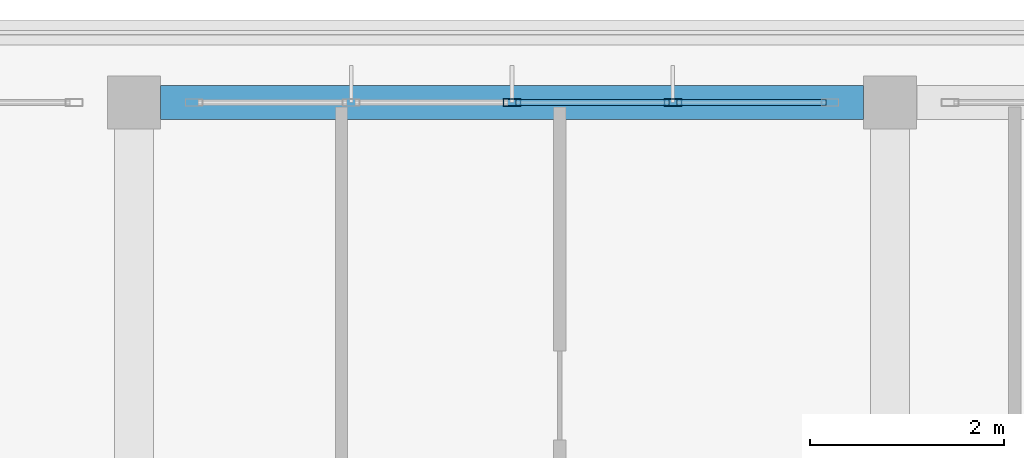
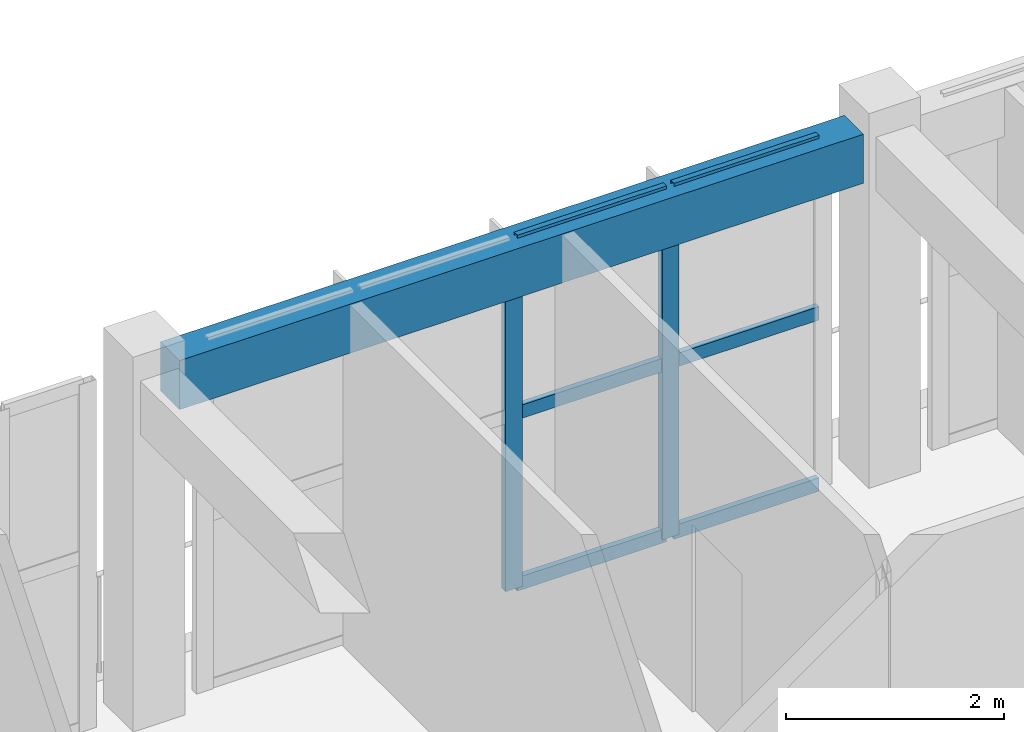
# One storey, part 9 of 44: 8 members, 1 beam, 1 element without a shape of its own.
"""IFC4 building model written with IfcOpenShell, lengths in metres."""

import ifcopenshell
import ifcopenshell.guid

model = None  # the IFC model being written
_history = None  # IfcOwnerHistory: only IFC2X3 demands one
_inside = {}  # id of a spatial element -> (the spatial element, [elements in it])
_under = {}  # id of a project, library or spatial element -> (it, [spatial elements below it])
_declared = {}  # id of a project -> (the project, [libraries it declares])
_typed = {}  # id of a type object -> (the type object, [elements of that type])
_made_of = {}  # id of a material, layer set ... -> (it, [elements and type objects made of it])


def new_model(schema):
    """Start an empty IFC model of exactly this schema.

    Asked for "IFC4X3", IfcOpenShell would pick the latest addendum, in which some entities
    have other attributes; the version numbers below select the first issue.
    IFC2X3 requires an IfcOwnerHistory on every rooted entity: one is made here for all.
    """
    global model, _history
    if schema == "IFC4X3":
        model = ifcopenshell.file(schema_version=(4, 3, 0, 0))
    else:
        model = ifcopenshell.file(schema=schema)
    _inside.clear()
    _under.clear()
    _declared.clear()
    _typed.clear()
    _made_of.clear()
    _history = None
    if model.schema == "IFC2X3":
        org = make("IfcOrganization", Name="unknown")
        user = make(
            "IfcPersonAndOrganization",
            ThePerson=make("IfcPerson", FamilyName="unknown"),
            TheOrganization=org,
        )
        app = make(
            "IfcApplication",
            ApplicationDeveloper=org,
            Version="unknown",
            ApplicationFullName="unknown",
            ApplicationIdentifier="unknown",
        )
        _history = make(
            "IfcOwnerHistory",
            OwningUser=user,
            OwningApplication=app,
            ChangeAction="ADDED",
            CreationDate=0,
        )
    return model


def make(cls, **values):
    """One entity of the class cls with the attributes given. An attribute that is None is left unset."""
    return model.create_entity(
        cls, **{name: value for name, value in values.items() if value is not None}
    )


def rooted(cls, **values):
    """An entity with a GlobalId (a new one), such as an element, a storey or a relation."""
    return make(cls, GlobalId=ifcopenshell.guid.new(), OwnerHistory=_history, **values)


def si_unit(unit_type, name, prefix=None):
    """IfcSIUnit, for example si_unit("LENGTHUNIT", "METRE", prefix="MILLI")."""
    return make("IfcSIUnit", UnitType=unit_type, Prefix=prefix, Name=name)


def assignment(units):
    """IfcUnitAssignment: the units of a project."""
    return None if units is None else make("IfcUnitAssignment", Units=units)


def point(xyz):
    """IfcCartesianPoint."""
    return None if xyz is None else make("IfcCartesianPoint", Coordinates=xyz)


def direction(xyz):
    """IfcDirection."""
    return None if xyz is None else make("IfcDirection", DirectionRatios=xyz)


def frame(location, z_axis=None, x_axis=None):
    """IfcAxis2Placement3D, a coordinate frame: its origin and axes. An axis left out is left unset."""
    return make(
        "IfcAxis2Placement3D",
        Location=point(location),
        Axis=direction(z_axis),
        RefDirection=direction(x_axis),
    )


def frame_2d(location, x_axis=None):
    """IfcAxis2Placement2D, a coordinate frame in the plane: its origin and x axis."""
    return make(
        "IfcAxis2Placement2D", Location=point(location), RefDirection=direction(x_axis)
    )


def origin():
    """The frame at (0, 0, 0) with its axes left unset."""
    return frame((0.0, 0.0, 0.0))


def origin_2d():
    """The frame at (0, 0) in the plane with its x axis left unset."""
    return frame_2d((0.0, 0.0))


def place(relative_to, where):
    """IfcLocalPlacement: puts the frame where relative to a parent placement (None: the world)."""
    return make(
        "IfcLocalPlacement", PlacementRelTo=relative_to, RelativePlacement=where
    )


def context(
    kind, dimensions, precision=None, world=None, true_north=None, identifier=None
):
    """IfcGeometricRepresentationContext, for example the 3D "Model" context."""
    return make(
        "IfcGeometricRepresentationContext",
        ContextIdentifier=identifier,
        ContextType=kind,
        CoordinateSpaceDimension=dimensions,
        Precision=precision,
        WorldCoordinateSystem=world,
        TrueNorth=true_north,
    )


def subcontext(parent, identifier, kind, view, scale=None):
    """IfcGeometricRepresentationSubContext, for example "Body" below "Model"."""
    return make(
        "IfcGeometricRepresentationSubContext",
        ContextIdentifier=identifier,
        ContextType=kind,
        ParentContext=parent,
        TargetScale=scale,
        TargetView=view,
    )


def project(units=None, contexts=None):
    """IfcProject with its units and contexts."""
    return rooted(
        "IfcProject",
        Name="project",
        RepresentationContexts=contexts,
        UnitsInContext=assignment(units),
    )


def spatial(cls, under=None, at=None, **own):
    """A site, building, storey or space (cls), placed at a placement, below another one or the project."""
    s = rooted(cls, ObjectPlacement=at, **own)
    if under is not None:
        _under.setdefault(under.id(), (under, []))[1].append(s)
    return s


def profile(cls, at=None, kind="AREA", **sizes):
    """A parametric profile (cls). Its sizes go by their IFC names, for example OverallWidth=200.0."""
    return make(cls, ProfileType=kind, Position=at, **sizes)


def rectangle(**sizes):
    """IfcRectangleProfileDef."""
    return profile("IfcRectangleProfileDef", **sizes)


def hollow_rectangle(**sizes):
    """IfcRectangleHollowProfileDef."""
    return profile("IfcRectangleHollowProfileDef", **sizes)


def extrude(swept, where, along, depth):
    """IfcExtrudedAreaSolid: the profile swept, set in the frame where, extruded along a direction by depth."""
    return make(
        "IfcExtrudedAreaSolid",
        SweptArea=swept,
        Position=where,
        ExtrudedDirection=direction(along),
        Depth=depth,
    )


def shape(context_of_items, identifier, shape_type, items):
    """IfcShapeRepresentation: the items that make up one representation, for example the "Body"."""
    return make(
        "IfcShapeRepresentation",
        ContextOfItems=context_of_items,
        RepresentationIdentifier=identifier,
        RepresentationType=shape_type,
        Items=items,
    )


def material(Name=None, Category=None):
    """IfcMaterial."""
    return make("IfcMaterial", Name=Name, Category=Category)


def layer(
    of_material, thickness, ventilated=None, Name=None, Category=None, Priority=None
):
    """IfcMaterialLayer: one layer of a wall or slab, of a material (None: an air gap)."""
    return make(
        "IfcMaterialLayer",
        Material=of_material,
        LayerThickness=thickness,
        IsVentilated=ventilated,
        Name=Name,
        Category=Category,
        Priority=Priority,
    )


def layer_set(layers, Name=None):
    """IfcMaterialLayerSet."""
    return make("IfcMaterialLayerSet", MaterialLayers=layers, LayerSetName=Name)


def material_profile(
    of_material, cross_section, Name=None, Category=None, Priority=None
):
    """IfcMaterialProfile: a cross section and its material."""
    return make(
        "IfcMaterialProfile",
        Name=Name,
        Material=of_material,
        Profile=cross_section,
        Priority=Priority,
        Category=Category,
    )


def profile_set(profiles, Name=None, composite=None):
    """IfcMaterialProfileSet."""
    return make(
        "IfcMaterialProfileSet",
        Name=Name,
        MaterialProfiles=profiles,
        CompositeProfile=composite,
    )


def made_of(thing, what):
    """Note that an element or type object is made of a material, layer set ...; save() writes the relation."""
    if what is not None:
        _made_of.setdefault(what.id(), (what, []))[1].append(thing)
    return thing


def type_object(cls, material=None, **own):
    """A type object (cls), such as IfcWallType, which elements share."""
    return made_of(rooted(cls, **own), material)


def element(
    cls,
    number,
    at=None,
    inside=None,
    cuts=None,
    type_object=None,
    material=None,
    context=None,
    identifier="Body",
    shape_type=None,
    held_by="IfcProductDefinitionShape",
    body=None,
    shapes=None,
    **own,
):
    """One element of the class cls, such as IfcWall. Its Tag is "e" and its number.

    at: its placement. inside: the storey or other place that contains it. cuts: it is an
    opening in that element (IfcRelVoidsElement). A single representation is given by context,
    identifier, shape_type and body (its items); several are given by shapes. held_by: the class
    of the entity that holds the representations. save() writes the other relations.
    """
    e = rooted(cls, Tag="e%d" % number, ObjectPlacement=at, **own)
    if body is not None:
        shapes = [shape(context, identifier, shape_type, body)]
    if shapes is not None:
        e.Representation = make(held_by, Representations=shapes)
    if inside is not None:
        _inside.setdefault(inside.id(), (inside, []))[1].append(e)
    if cuts is not None:
        rooted(
            "IfcRelVoidsElement", RelatingBuildingElement=cuts, RelatedOpeningElement=e
        )
    if type_object is not None:
        _typed.setdefault(type_object.id(), (type_object, []))[1].append(e)
    return made_of(e, material)


def aggregate(whole, parts):
    """IfcRelAggregates: a whole, such as a stair, and the parts it consists of."""
    return rooted("IfcRelAggregates", RelatingObject=whole, RelatedObjects=parts)


def save(model, path):
    """Write the relations noted so far, then the file.

    IfcRelAggregates (storeys below a building ...), IfcRelContainedInSpatialStructure (elements
    in a storey), IfcRelDefinesByType, IfcRelAssociatesMaterial and IfcRelDeclares: one each for
    every whole, place, type object, material and project.
    """
    for whole, parts in _under.values():
        aggregate(whole, parts)
    for where, things in _inside.values():
        rooted(
            "IfcRelContainedInSpatialStructure",
            RelatedElements=things,
            RelatingStructure=where,
        )
    for kind, things in _typed.values():
        rooted("IfcRelDefinesByType", RelatedObjects=things, RelatingType=kind)
    for what, things in _made_of.values():
        rooted("IfcRelAssociatesMaterial", RelatedObjects=things, RelatingMaterial=what)
    for by, libraries in _declared.values():
        rooted("IfcRelDeclares", RelatingContext=by, RelatedDefinitions=libraries)
    model.write(path)


model = new_model("IFC4")

# Units and contexts
model_context = context("Model", 3, precision=1e-05, world=origin(), true_north=direction((0.0, 1.0)))
body_context = subcontext(model_context, "Body", "Model", "MODEL_VIEW")
ifc_project = project(units=[si_unit("LENGTHUNIT", "METRE"), si_unit("AREAUNIT", "SQUARE_METRE"), si_unit("VOLUMEUNIT", "CUBIC_METRE"), si_unit("PLANEANGLEUNIT", "RADIAN"), si_unit("MASSUNIT", "GRAM", prefix="KILO")], contexts=[model_context])

# Site, building, storey
site_placement = place(None, origin())
site = spatial("IfcSite", under=ifc_project, at=site_placement, CompositionType="ELEMENT")
building_placement = place(site_placement, origin())
building = spatial("IfcBuilding", under=site, at=building_placement, Name="Zizhar Promenade General Hospital", CompositionType="ELEMENT")
storey_placement = place(building_placement, frame((0.0, 0.0, 34.800048828125)))
storey = spatial("IfcBuildingStorey", under=building, at=storey_placement, Name="L08", CompositionType="ELEMENT", Elevation=34.800048828125)

# Beam
ifc_material_1 = material(Name="Concrete C35/45", Category="concrete")
ifc_material_profile_1 = material_profile(ifc_material_1, rectangle(XDim=0.35009765625, YDim=0.550048828125, at=origin_2d()))
ifc_profile_set_1 = profile_set([ifc_material_profile_1], Name="Concrete C35/45")
beam_type = type_object("IfcBeamType", Name="BM-RC-350x550", PredefinedType="LINTEL", material=ifc_profile_set_1)
beam_placement = place(storey_placement, frame((54.875, 25.199951171875, 3.635009765625), z_axis=(1.0, 0.0, 0.0), x_axis=(0.0, 1.0, 0.0)))
element("IfcBeam", 1, at=beam_placement, inside=storey, type_object=beam_type, Name="Grid Beam X L08 (7-3)", PredefinedType="LINTEL", context=body_context, shape_type="SweptSolid", body=[
    extrude(rectangle(XDim=0.35009765625, YDim=0.550048828125, at=origin_2d()), origin(), (0.0, 0.0, 1.0), 7.25),
])

# Curtain wall, members
ifc_material_2 = material(Name="Anodised aluminium 6063-T6 and low-E glass", Category="aluminium")
ifc_layer = layer(ifc_material_2, 0.159912109375)
ifc_layer_set = layer_set([ifc_layer], Name="Anodised aluminium 6063-T6 and low-E glass")
curtain_wall_type = type_object("IfcCurtainWallType", Name="CW-WARD-RIB", PredefinedType="NOTDEFINED", material=ifc_layer_set)
curtain_wall_placement = place(storey_placement, origin())
curtain_wall = element("IfcCurtainWall", 2, at=curtain_wall_placement, inside=storey, type_object=curtain_wall_type, Name="Ward Ribbon Curtain Wall L08-8-1", PredefinedType="NOTDEFINED")
ifc_material_3 = material(Name="Anodised aluminium 6063-T6", Category="aluminium")
ifc_material_profile_2 = material_profile(ifc_material_3, hollow_rectangle(XDim=0.080078125, YDim=0.179931640625, WallThickness=0.0048828125, at=origin_2d()))
ifc_profile_set_2 = profile_set([ifc_material_profile_2], Name="Anodised aluminium 6063-T6")
member_type_1 = type_object("IfcMemberType", Name="CWM-ALU-180x80", PredefinedType="MULLION", material=ifc_profile_set_2)
member_1_placement = place(storey_placement, frame((58.5, 25.199951171875, 0.0), z_axis=(0.0, 0.0, 1.0), x_axis=(0.0, 1.0, 0.0)))
member_1 = element("IfcMember", 3, at=member_1_placement, type_object=member_type_1, Name="CW-13 mullion 3", PredefinedType="MULLION", context=body_context, shape_type="SweptSolid", body=[
    extrude(hollow_rectangle(XDim=0.080078125, YDim=0.179931640625, WallThickness=0.0048828125, at=origin_2d()), origin(), (0.0, 0.0, 1.0), 3.89990234375),
])
member_2_placement = place(storey_placement, frame((60.159912109375, 25.199951171875, 0.0), z_axis=(0.0, 0.0, 1.0), x_axis=(0.0, 1.0, 0.0)))
member_2 = element("IfcMember", 4, at=member_2_placement, type_object=member_type_1, Name="CW-13 mullion 4", PredefinedType="MULLION", context=body_context, shape_type="SweptSolid", body=[
    extrude(hollow_rectangle(XDim=0.080078125, YDim=0.179931640625, WallThickness=0.0048828125, at=origin_2d()), origin(), (0.0, 0.0, 1.0), 3.89990234375),
])
ifc_material_4 = material(Name="Anodised aluminium 6063-T6", Category="aluminium")
ifc_material_profile_3 = material_profile(ifc_material_4, hollow_rectangle(XDim=0.06005859375, YDim=0.14990234375, WallThickness=0.00390625, at=origin_2d()))
ifc_profile_set_3 = profile_set([ifc_material_profile_3], Name="Anodised aluminium 6063-T6")
member_type_2 = type_object("IfcMemberType", Name="CWT-ALU-150x60", PredefinedType="USERDEFINED", material=ifc_profile_set_3)
member_3_placement = place(storey_placement, frame((58.5400390625, 25.199951171875, 0.030029296875), z_axis=(1.0, 0.0, 0.0), x_axis=(0.0, 1.0, 0.0)))
member_3 = element("IfcMember", 5, at=member_3_placement, type_object=member_type_2, Name="CW-13 transom 3.1", ObjectType="TRANSOM", PredefinedType="USERDEFINED", context=body_context, shape_type="SweptSolid", body=[
    extrude(hollow_rectangle(XDim=0.06005859375, YDim=0.14990234375, WallThickness=0.00390625, at=origin_2d()), origin(), (0.0, 0.0, 1.0), 1.580078125),
])
member_4_placement = place(storey_placement, frame((58.5400390625, 25.199951171875, 1.949951171875), z_axis=(1.0, 0.0, 0.0), x_axis=(0.0, 1.0, 0.0)))
member_4 = element("IfcMember", 6, at=member_4_placement, type_object=member_type_2, Name="CW-13 transom 3.2", ObjectType="TRANSOM", PredefinedType="USERDEFINED", context=body_context, shape_type="SweptSolid", body=[
    extrude(hollow_rectangle(XDim=0.06005859375, YDim=0.14990234375, WallThickness=0.00390625, at=origin_2d()), origin(), (0.0, 0.0, 1.0), 1.580078125),
])
member_5_placement = place(storey_placement, frame((58.5400390625, 25.199951171875, 3.869873046875), z_axis=(1.0, 0.0, 0.0), x_axis=(0.0, 1.0, 0.0)))
member_5 = element("IfcMember", 7, at=member_5_placement, type_object=member_type_2, Name="CW-13 transom 3.3", ObjectType="TRANSOM", PredefinedType="USERDEFINED", context=body_context, shape_type="SweptSolid", body=[
    extrude(hollow_rectangle(XDim=0.06005859375, YDim=0.14990234375, WallThickness=0.00390625, at=origin_2d()), origin(), (0.0, 0.0, 1.0), 1.580078125),
])
member_6_placement = place(storey_placement, frame((60.199951171875, 25.199951171875, 0.030029296875), z_axis=(1.0, 0.0, 0.0), x_axis=(0.0, 1.0, 0.0)))
member_6 = element("IfcMember", 8, at=member_6_placement, type_object=member_type_2, Name="CW-13 transom 4.1", ObjectType="TRANSOM", PredefinedType="USERDEFINED", context=body_context, shape_type="SweptSolid", body=[
    extrude(hollow_rectangle(XDim=0.06005859375, YDim=0.14990234375, WallThickness=0.00390625, at=origin_2d()), origin(), (0.0, 0.0, 1.0), 1.5400390625),
])
member_7_placement = place(storey_placement, frame((60.199951171875, 25.199951171875, 1.949951171875), z_axis=(1.0, 0.0, 0.0), x_axis=(0.0, 1.0, 0.0)))
member_7 = element("IfcMember", 9, at=member_7_placement, type_object=member_type_2, Name="CW-13 transom 4.2", ObjectType="TRANSOM", PredefinedType="USERDEFINED", context=body_context, shape_type="SweptSolid", body=[
    extrude(hollow_rectangle(XDim=0.06005859375, YDim=0.14990234375, WallThickness=0.00390625, at=origin_2d()), origin(), (0.0, 0.0, 1.0), 1.5400390625),
])
member_8_placement = place(storey_placement, frame((60.199951171875, 25.199951171875, 3.869873046875), z_axis=(1.0, 0.0, 0.0), x_axis=(0.0, 1.0, 0.0)))
member_8 = element("IfcMember", 10, at=member_8_placement, type_object=member_type_2, Name="CW-13 transom 4.3", ObjectType="TRANSOM", PredefinedType="USERDEFINED", context=body_context, shape_type="SweptSolid", body=[
    extrude(hollow_rectangle(XDim=0.06005859375, YDim=0.14990234375, WallThickness=0.00390625, at=origin_2d()), origin(), (0.0, 0.0, 1.0), 1.5400390625),
])
aggregate(curtain_wall, [member_1, member_2, member_3, member_4, member_5, member_6, member_7, member_8])

save(model, "model.ifc")
